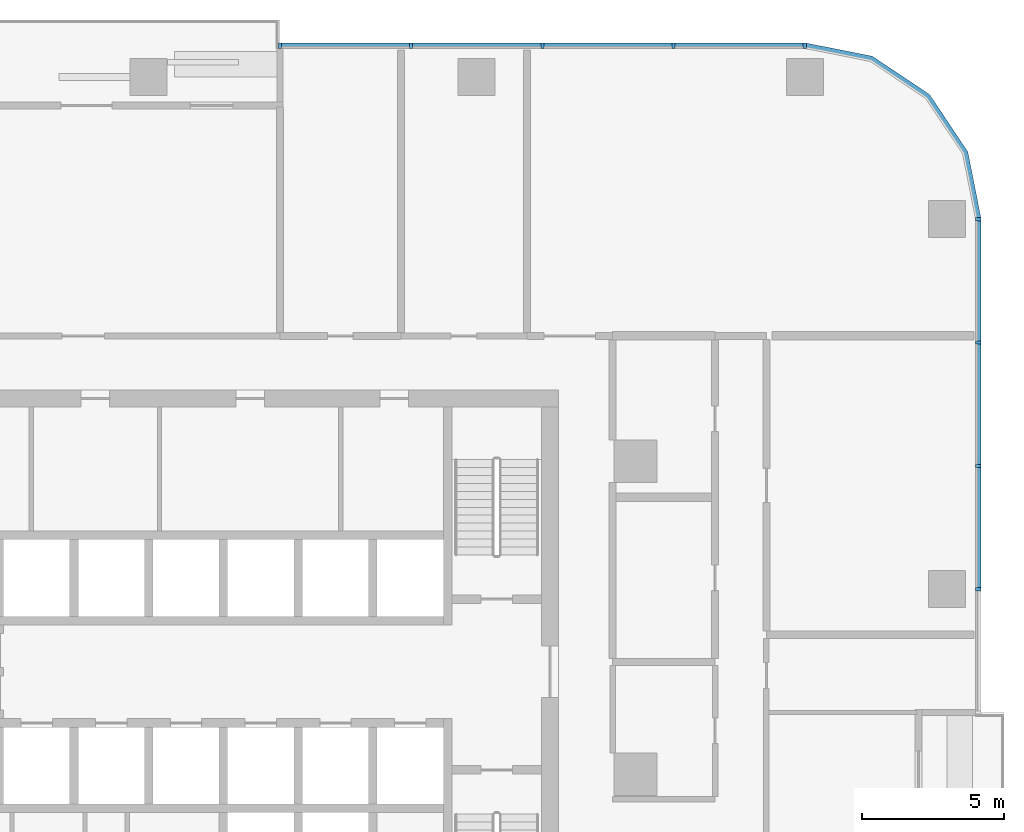
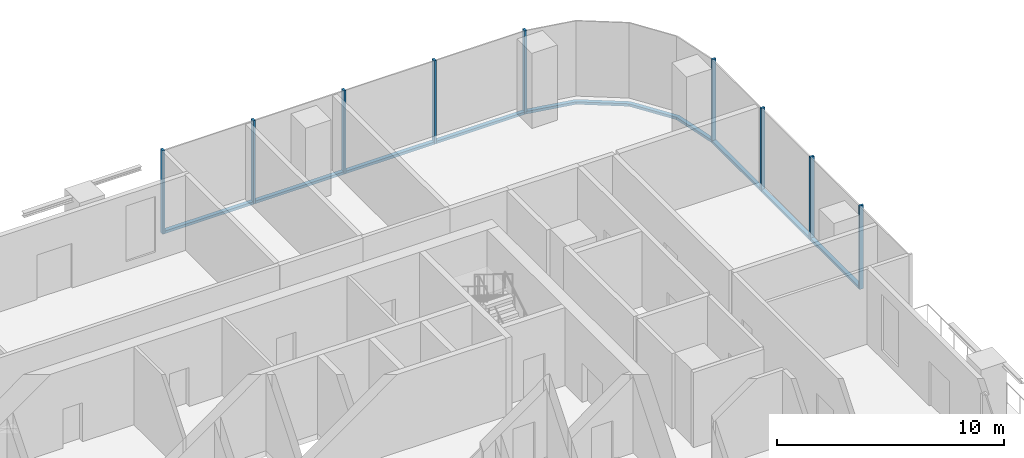
# One storey, part 5 of 14: 17 members, 3 elements without a shape of their own.
"""IFC4 building model written with IfcOpenShell, lengths in metres."""

from ifc_helpers import new_model, si_unit, direction, frame, origin, origin_2d, place, context, subcontext, project, spatial, polyline, rectangle, outline, extrude, material, material_profile, profile_set, type_object, element, aggregate, save


model = new_model("IFC4")

# Units and contexts
model_context = context("Model", 3, precision=1e-05, world=origin(), true_north=direction((0.0, 1.0)))
body_context = subcontext(model_context, "Body", "Model", "MODEL_VIEW")
ifc_project = project(units=[si_unit("LENGTHUNIT", "METRE"), si_unit("AREAUNIT", "SQUARE_METRE"), si_unit("VOLUMEUNIT", "CUBIC_METRE"), si_unit("PLANEANGLEUNIT", "RADIAN"), si_unit("MASSUNIT", "GRAM", prefix="KILO")], contexts=[model_context])

# Site, building, storey
site_placement = place(None, origin())
site = spatial("IfcSite", under=ifc_project, at=site_placement, CompositionType="ELEMENT")
building_placement = place(site_placement, origin())
building = spatial("IfcBuilding", under=site, at=building_placement, Name="Mopane Tessera Tower", CompositionType="ELEMENT")
storey_placement = place(building_placement, frame((0.0, 0.0, 126.10009765625)))
storey = spatial("IfcBuildingStorey", under=building, at=storey_placement, Name="L25", CompositionType="ELEMENT", Elevation=126.10009765625)

# Curtain wall, members
ifc_material_1 = material(Name="Aluminium frame", Category="aluminium")
curtain_wall_type = type_object("IfcCurtainWallType", Name="Lower tower unitised wall", PredefinedType="NOTDEFINED", material=ifc_material_1)
curtain_wall_1_placement = place(storey_placement, origin())
curtain_wall_1 = element("IfcCurtainWall", 1, at=curtain_wall_1_placement, inside=storey, type_object=curtain_wall_type, Name="e:cw:L25:E:5", PredefinedType="NOTDEFINED")
ifc_material_2 = material(Name="Aluminium frame", Category="aluminium")
ifc_material_profile_1 = material_profile(ifc_material_2, rectangle(XDim=0.110107421875, YDim=0.199951171875, at=origin_2d()))
ifc_profile_set_1 = profile_set([ifc_material_profile_1], Name="Aluminium frame")
member_type_1 = type_object("IfcMemberType", Name="Aluminium mullion 110 x 200", PredefinedType="MULLION", material=ifc_profile_set_1)
member_1_placement = place(storey_placement, frame((29.14990234375, 6.5, -0.4501953125), z_axis=(0.0, 0.0, 1.0), x_axis=(0.0, 1.0, 0.0)))
member_1 = element("IfcMember", 2, at=member_1_placement, type_object=member_type_1, Name="e:cw:L25:E:5:mu6", PredefinedType="MULLION", context=body_context, shape_type="SweptSolid", body=[
    extrude(rectangle(XDim=0.110107421875, YDim=0.199951171875, at=origin_2d()), origin(), (0.0, 0.0, 1.0), 4.5),
])
member_2_placement = place(storey_placement, frame((29.14990234375, 10.833251953125, -0.4501953125), z_axis=(0.0, 0.0, 1.0), x_axis=(0.0, 1.0, 0.0)))
member_2 = element("IfcMember", 3, at=member_2_placement, type_object=member_type_1, Name="e:cw:L25:E:5:mu7", PredefinedType="MULLION", context=body_context, shape_type="SweptSolid", body=[
    extrude(rectangle(XDim=0.110107421875, YDim=0.199951171875, at=origin_2d()), origin(), (0.0, 0.0, 1.0), 4.5),
])
member_3_placement = place(storey_placement, frame((29.14990234375, 15.166748046875, -0.4501953125), z_axis=(0.0, 0.0, 1.0), x_axis=(0.0, 1.0, 0.0)))
member_3 = element("IfcMember", 4, at=member_3_placement, type_object=member_type_1, Name="e:cw:L25:E:5:mu8", PredefinedType="MULLION", context=body_context, shape_type="SweptSolid", body=[
    extrude(rectangle(XDim=0.110107421875, YDim=0.199951171875, at=origin_2d()), origin(), (0.0, 0.0, 1.0), 4.5),
])
member_4_placement = place(storey_placement, frame((29.14990234375, 19.5, -0.4501953125), z_axis=(0.0, 0.0, 1.0), x_axis=(0.0, 1.0, 0.0)))
member_4 = element("IfcMember", 5, at=member_4_placement, type_object=member_type_1, Name="e:cw:L25:E:5:mu9", PredefinedType="MULLION", context=body_context, shape_type="SweptSolid", body=[
    extrude(rectangle(XDim=0.110107421875, YDim=0.199951171875, at=origin_2d()), origin(), (0.0, 0.0, 1.0), 4.5),
])

curtain_wall_2_placement = place(storey_placement, origin())
curtain_wall_2 = element("IfcCurtainWall", 6, at=curtain_wall_2_placement, inside=storey, type_object=curtain_wall_type, Name="e:cw:L25:N:0", PredefinedType="NOTDEFINED")
member_5_placement = place(storey_placement, frame((23.050048828125, 25.60009765625, -0.4501953125), z_axis=(0.0, 0.0, 1.0), x_axis=(-1.0, 0.0, 0.0)))
member_5 = element("IfcMember", 7, at=member_5_placement, type_object=member_type_1, Name="e:cw:L25:N:0:mu0", PredefinedType="MULLION", context=body_context, shape_type="SweptSolid", body=[
    extrude(rectangle(XDim=0.110107421875, YDim=0.199951171875, at=origin_2d()), origin(), (0.0, 0.0, 1.0), 4.5),
])
member_6_placement = place(storey_placement, frame((18.43994140625, 25.60009765625, -0.4501953125), z_axis=(0.0, 0.0, 1.0), x_axis=(-1.0, 0.0, 0.0)))
member_6 = element("IfcMember", 8, at=member_6_placement, type_object=member_type_1, Name="e:cw:L25:N:0:mu1", PredefinedType="MULLION", context=body_context, shape_type="SweptSolid", body=[
    extrude(rectangle(XDim=0.110107421875, YDim=0.199951171875, at=origin_2d()), origin(), (0.0, 0.0, 1.0), 4.5),
])
member_7_placement = place(storey_placement, frame((13.830078125, 25.60009765625, -0.4501953125), z_axis=(0.0, 0.0, 1.0), x_axis=(-1.0, 0.0, 0.0)))
member_7 = element("IfcMember", 9, at=member_7_placement, type_object=member_type_1, Name="e:cw:L25:N:0:mu2", PredefinedType="MULLION", context=body_context, shape_type="SweptSolid", body=[
    extrude(rectangle(XDim=0.110107421875, YDim=0.199951171875, at=origin_2d()), origin(), (0.0, 0.0, 1.0), 4.5),
])
member_8_placement = place(storey_placement, frame((9.219970703125, 25.60009765625, -0.4501953125), z_axis=(0.0, 0.0, 1.0), x_axis=(-1.0, 0.0, 0.0)))
member_8 = element("IfcMember", 10, at=member_8_placement, type_object=member_type_1, Name="e:cw:L25:N:0:mu3", PredefinedType="MULLION", context=body_context, shape_type="SweptSolid", body=[
    extrude(rectangle(XDim=0.110107421875, YDim=0.199951171875, at=origin_2d()), origin(), (0.0, 0.0, 1.0), 4.5),
])
member_9_placement = place(storey_placement, frame((4.610107421875, 25.60009765625, -0.4501953125), z_axis=(0.0, 0.0, 1.0), x_axis=(-1.0, 0.0, 0.0)))
member_9 = element("IfcMember", 11, at=member_9_placement, type_object=member_type_1, Name="e:cw:L25:N:0:mu4", PredefinedType="MULLION", context=body_context, shape_type="SweptSolid", body=[
    extrude(rectangle(XDim=0.110107421875, YDim=0.199951171875, at=origin_2d()), origin(), (0.0, 0.0, 1.0), 4.5),
])

# Member
ifc_material_3 = material(Name="Aluminium frame", Category="aluminium")
ifc_material_profile_2 = material_profile(ifc_material_3, rectangle(XDim=0.199951171875, YDim=0.139892578125, at=origin_2d()))
ifc_profile_set_2 = profile_set([ifc_material_profile_2], Name="Aluminium frame")
member_type_2 = type_object("IfcMemberType", Name="Aluminium transom 200 x 140", PredefinedType="USERDEFINED", material=ifc_profile_set_2)
member_10_placement = place(storey_placement, frame((29.14990234375, 6.554931640625, -0.380126953125), z_axis=(0.0, 1.0, 0.0), x_axis=(-1.0, 0.0, 0.0)))
member_10 = element("IfcMember", 12, at=member_10_placement, type_object=member_type_2, Name="e:cw:L25:E:5:tr6", ObjectType="TRANSOM", PredefinedType="USERDEFINED", context=body_context, shape_type="SweptSolid", body=[
    extrude(rectangle(XDim=0.199951171875, YDim=0.139892578125, at=origin_2d()), origin(), (0.0, 0.0, 1.0), 4.223388671875),
])

member_11_placement = place(storey_placement, frame((29.14990234375, 10.888427734375, -0.380126953125), z_axis=(0.0, 1.0, 0.0), x_axis=(-1.0, 0.0, 0.0)))
member_11 = element("IfcMember", 13, at=member_11_placement, type_object=member_type_2, Name="e:cw:L25:E:5:tr7", ObjectType="TRANSOM", PredefinedType="USERDEFINED", context=body_context, shape_type="SweptSolid", body=[
    extrude(rectangle(XDim=0.199951171875, YDim=0.139892578125, at=origin_2d()), origin(), (0.0, 0.0, 1.0), 4.22314453125),
])

member_12_placement = place(storey_placement, frame((29.14990234375, 15.2216796875, -0.380126953125), z_axis=(0.0, 1.0, 0.0), x_axis=(-1.0, 0.0, 0.0)))
member_12 = element("IfcMember", 14, at=member_12_placement, type_object=member_type_2, Name="e:cw:L25:E:5:tr8", ObjectType="TRANSOM", PredefinedType="USERDEFINED", context=body_context, shape_type="SweptSolid", body=[
    extrude(rectangle(XDim=0.199951171875, YDim=0.139892578125, at=origin_2d()), origin(), (0.0, 0.0, 1.0), 4.223388671875),
])

aggregate(curtain_wall_1, [member_1, member_2, member_3, member_4, member_10, member_11, member_12])

# Curtain wall, member
curtain_wall_3_placement = place(storey_placement, origin())
curtain_wall_3 = element("IfcCurtainWall", 15, at=curtain_wall_3_placement, inside=storey, type_object=curtain_wall_type, Name="e:cw:L25:CE", PredefinedType="NOTDEFINED")
member_13_placement = place(storey_placement, frame((0.0, 0.0, -0.4501953125)))
member_13 = element("IfcMember", 16, at=member_13_placement, type_object=member_type_2, Name="e:cw:L25:CE:tr", ObjectType="TRANSOM", PredefinedType="USERDEFINED", context=body_context, shape_type="SweptSolid", body=[
    extrude(outline(polyline([(29.050048828125, 19.5), (28.59326171875, 21.796142578125), (27.292724609375, 23.74267578125), (25.34619140625, 25.043212890625), (23.050048828125, 25.5), (23.050048828125, 25.699951171875), (25.422607421875, 25.22802734375), (27.43408203125, 23.884033203125), (28.778076171875, 21.87255859375), (29.25, 19.5), (29.050048828125, 19.5)])), origin(), (0.0, 0.0, 1.0), 0.14013671875),
])
aggregate(curtain_wall_3, [member_13])

# Member
member_14_placement = place(storey_placement, frame((22.9951171875, 25.60009765625, -0.380126953125), z_axis=(-1.0, 0.0, 0.0), x_axis=(0.0, -1.0, 0.0)))
member_14 = element("IfcMember", 17, at=member_14_placement, type_object=member_type_2, Name="e:cw:L25:N:0:tr0", ObjectType="TRANSOM", PredefinedType="USERDEFINED", context=body_context, shape_type="SweptSolid", body=[
    extrude(rectangle(XDim=0.199951171875, YDim=0.139892578125, at=origin_2d()), origin(), (0.0, 0.0, 1.0), 4.5),
])

member_15_placement = place(storey_placement, frame((18.385009765625, 25.60009765625, -0.380126953125), z_axis=(-1.0, 0.0, 0.0), x_axis=(0.0, -1.0, 0.0)))
member_15 = element("IfcMember", 18, at=member_15_placement, type_object=member_type_2, Name="e:cw:L25:N:0:tr1", ObjectType="TRANSOM", PredefinedType="USERDEFINED", context=body_context, shape_type="SweptSolid", body=[
    extrude(rectangle(XDim=0.199951171875, YDim=0.139892578125, at=origin_2d()), origin(), (0.0, 0.0, 1.0), 4.5),
])

member_16_placement = place(storey_placement, frame((13.77490234375, 25.60009765625, -0.380126953125), z_axis=(-1.0, 0.0, 0.0), x_axis=(0.0, -1.0, 0.0)))
member_16 = element("IfcMember", 19, at=member_16_placement, type_object=member_type_2, Name="e:cw:L25:N:0:tr2", ObjectType="TRANSOM", PredefinedType="USERDEFINED", context=body_context, shape_type="SweptSolid", body=[
    extrude(rectangle(XDim=0.199951171875, YDim=0.139892578125, at=origin_2d()), origin(), (0.0, 0.0, 1.0), 4.5),
])

member_17_placement = place(storey_placement, frame((9.1650390625, 25.60009765625, -0.380126953125), z_axis=(-1.0, 0.0, 0.0), x_axis=(0.0, -1.0, 0.0)))
member_17 = element("IfcMember", 20, at=member_17_placement, type_object=member_type_2, Name="e:cw:L25:N:0:tr3", ObjectType="TRANSOM", PredefinedType="USERDEFINED", context=body_context, shape_type="SweptSolid", body=[
    extrude(rectangle(XDim=0.199951171875, YDim=0.139892578125, at=origin_2d()), origin(), (0.0, 0.0, 1.0), 4.5),
])

aggregate(curtain_wall_2, [member_5, member_6, member_7, member_8, member_9, member_14, member_15, member_16, member_17])

save(model, "model.ifc")
